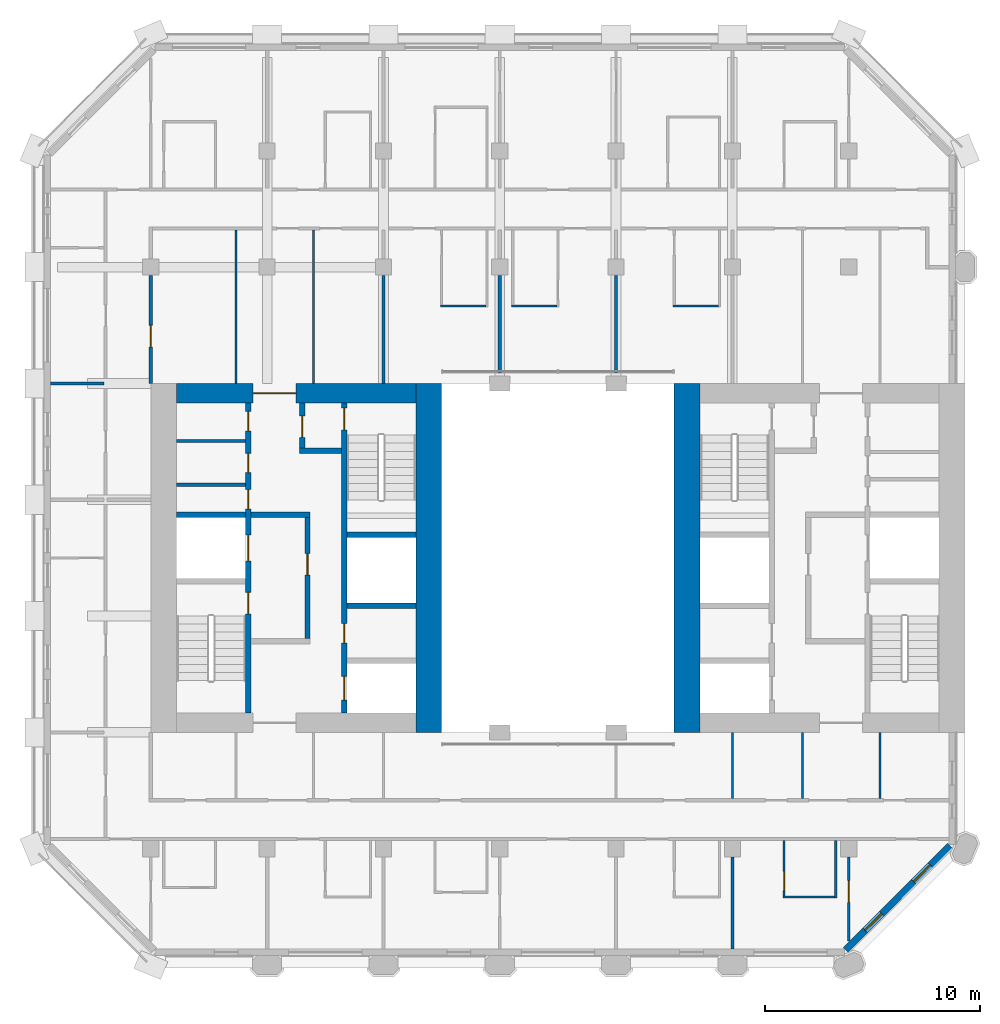
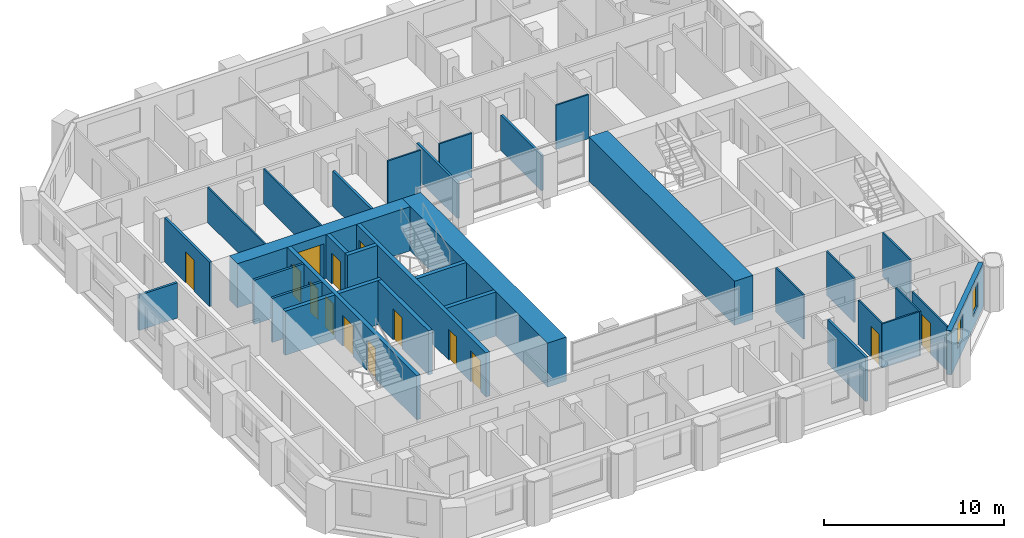
# One storey, part 8 of 14: 33 walls, 14 doors, 2 windows, 16 openings.
"""IFC4 building model written with IfcOpenShell, lengths in metres."""

import ifcopenshell
import ifcopenshell.guid

model = None  # the IFC model being written
_history = None  # IfcOwnerHistory: only IFC2X3 demands one
_inside = {}  # id of a spatial element -> (the spatial element, [elements in it])
_under = {}  # id of a project, library or spatial element -> (it, [spatial elements below it])
_declared = {}  # id of a project -> (the project, [libraries it declares])
_typed = {}  # id of a type object -> (the type object, [elements of that type])
_made_of = {}  # id of a material, layer set ... -> (it, [elements and type objects made of it])


def new_model(schema):
    """Start an empty IFC model of exactly this schema.

    Asked for "IFC4X3", IfcOpenShell would pick the latest addendum, in which some entities
    have other attributes; the version numbers below select the first issue.
    IFC2X3 requires an IfcOwnerHistory on every rooted entity: one is made here for all.
    """
    global model, _history
    if schema == "IFC4X3":
        model = ifcopenshell.file(schema_version=(4, 3, 0, 0))
    else:
        model = ifcopenshell.file(schema=schema)
    _inside.clear()
    _under.clear()
    _declared.clear()
    _typed.clear()
    _made_of.clear()
    _history = None
    if model.schema == "IFC2X3":
        org = make("IfcOrganization", Name="unknown")
        user = make(
            "IfcPersonAndOrganization",
            ThePerson=make("IfcPerson", FamilyName="unknown"),
            TheOrganization=org,
        )
        app = make(
            "IfcApplication",
            ApplicationDeveloper=org,
            Version="unknown",
            ApplicationFullName="unknown",
            ApplicationIdentifier="unknown",
        )
        _history = make(
            "IfcOwnerHistory",
            OwningUser=user,
            OwningApplication=app,
            ChangeAction="ADDED",
            CreationDate=0,
        )
    return model


def make(cls, **values):
    """One entity of the class cls with the attributes given. An attribute that is None is left unset."""
    return model.create_entity(
        cls, **{name: value for name, value in values.items() if value is not None}
    )


def rooted(cls, **values):
    """An entity with a GlobalId (a new one), such as an element, a storey or a relation."""
    return make(cls, GlobalId=ifcopenshell.guid.new(), OwnerHistory=_history, **values)


def si_unit(unit_type, name, prefix=None):
    """IfcSIUnit, for example si_unit("LENGTHUNIT", "METRE", prefix="MILLI")."""
    return make("IfcSIUnit", UnitType=unit_type, Prefix=prefix, Name=name)


def assignment(units):
    """IfcUnitAssignment: the units of a project."""
    return None if units is None else make("IfcUnitAssignment", Units=units)


def point(xyz):
    """IfcCartesianPoint."""
    return None if xyz is None else make("IfcCartesianPoint", Coordinates=xyz)


def direction(xyz):
    """IfcDirection."""
    return None if xyz is None else make("IfcDirection", DirectionRatios=xyz)


def frame(location, z_axis=None, x_axis=None):
    """IfcAxis2Placement3D, a coordinate frame: its origin and axes. An axis left out is left unset."""
    return make(
        "IfcAxis2Placement3D",
        Location=point(location),
        Axis=direction(z_axis),
        RefDirection=direction(x_axis),
    )


def frame_2d(location, x_axis=None):
    """IfcAxis2Placement2D, a coordinate frame in the plane: its origin and x axis."""
    return make(
        "IfcAxis2Placement2D", Location=point(location), RefDirection=direction(x_axis)
    )


def origin():
    """The frame at (0, 0, 0) with its axes left unset."""
    return frame((0.0, 0.0, 0.0))


def place(relative_to, where):
    """IfcLocalPlacement: puts the frame where relative to a parent placement (None: the world)."""
    return make(
        "IfcLocalPlacement", PlacementRelTo=relative_to, RelativePlacement=where
    )


def context(
    kind, dimensions, precision=None, world=None, true_north=None, identifier=None
):
    """IfcGeometricRepresentationContext, for example the 3D "Model" context."""
    return make(
        "IfcGeometricRepresentationContext",
        ContextIdentifier=identifier,
        ContextType=kind,
        CoordinateSpaceDimension=dimensions,
        Precision=precision,
        WorldCoordinateSystem=world,
        TrueNorth=true_north,
    )


def subcontext(parent, identifier, kind, view, scale=None):
    """IfcGeometricRepresentationSubContext, for example "Body" below "Model"."""
    return make(
        "IfcGeometricRepresentationSubContext",
        ContextIdentifier=identifier,
        ContextType=kind,
        ParentContext=parent,
        TargetScale=scale,
        TargetView=view,
    )


def project(units=None, contexts=None):
    """IfcProject with its units and contexts."""
    return rooted(
        "IfcProject",
        Name="project",
        RepresentationContexts=contexts,
        UnitsInContext=assignment(units),
    )


def spatial(cls, under=None, at=None, **own):
    """A site, building, storey or space (cls), placed at a placement, below another one or the project."""
    s = rooted(cls, ObjectPlacement=at, **own)
    if under is not None:
        _under.setdefault(under.id(), (under, []))[1].append(s)
    return s


def profile(cls, at=None, kind="AREA", **sizes):
    """A parametric profile (cls). Its sizes go by their IFC names, for example OverallWidth=200.0."""
    return make(cls, ProfileType=kind, Position=at, **sizes)


def rectangle(**sizes):
    """IfcRectangleProfileDef."""
    return profile("IfcRectangleProfileDef", **sizes)


def extrude(swept, where, along, depth):
    """IfcExtrudedAreaSolid: the profile swept, set in the frame where, extruded along a direction by depth."""
    return make(
        "IfcExtrudedAreaSolid",
        SweptArea=swept,
        Position=where,
        ExtrudedDirection=direction(along),
        Depth=depth,
    )


def shape(context_of_items, identifier, shape_type, items):
    """IfcShapeRepresentation: the items that make up one representation, for example the "Body"."""
    return make(
        "IfcShapeRepresentation",
        ContextOfItems=context_of_items,
        RepresentationIdentifier=identifier,
        RepresentationType=shape_type,
        Items=items,
    )


def material(Name=None, Category=None):
    """IfcMaterial."""
    return make("IfcMaterial", Name=Name, Category=Category)


def layer(
    of_material, thickness, ventilated=None, Name=None, Category=None, Priority=None
):
    """IfcMaterialLayer: one layer of a wall or slab, of a material (None: an air gap)."""
    return make(
        "IfcMaterialLayer",
        Material=of_material,
        LayerThickness=thickness,
        IsVentilated=ventilated,
        Name=Name,
        Category=Category,
        Priority=Priority,
    )


def layer_set(layers, Name=None):
    """IfcMaterialLayerSet."""
    return make("IfcMaterialLayerSet", MaterialLayers=layers, LayerSetName=Name)


def made_of(thing, what):
    """Note that an element or type object is made of a material, layer set ...; save() writes the relation."""
    if what is not None:
        _made_of.setdefault(what.id(), (what, []))[1].append(thing)
    return thing


def type_object(cls, material=None, **own):
    """A type object (cls), such as IfcWallType, which elements share."""
    return made_of(rooted(cls, **own), material)


def element(
    cls,
    number,
    at=None,
    inside=None,
    cuts=None,
    type_object=None,
    material=None,
    context=None,
    identifier="Body",
    shape_type=None,
    held_by="IfcProductDefinitionShape",
    body=None,
    shapes=None,
    **own,
):
    """One element of the class cls, such as IfcWall. Its Tag is "e" and its number.

    at: its placement. inside: the storey or other place that contains it. cuts: it is an
    opening in that element (IfcRelVoidsElement). A single representation is given by context,
    identifier, shape_type and body (its items); several are given by shapes. held_by: the class
    of the entity that holds the representations. save() writes the other relations.
    """
    e = rooted(cls, Tag="e%d" % number, ObjectPlacement=at, **own)
    if body is not None:
        shapes = [shape(context, identifier, shape_type, body)]
    if shapes is not None:
        e.Representation = make(held_by, Representations=shapes)
    if inside is not None:
        _inside.setdefault(inside.id(), (inside, []))[1].append(e)
    if cuts is not None:
        rooted(
            "IfcRelVoidsElement", RelatingBuildingElement=cuts, RelatedOpeningElement=e
        )
    if type_object is not None:
        _typed.setdefault(type_object.id(), (type_object, []))[1].append(e)
    return made_of(e, material)


def fill(opening, filler):
    """IfcRelFillsElement: the door or window that sits in an opening."""
    return rooted(
        "IfcRelFillsElement",
        RelatingOpeningElement=opening,
        RelatedBuildingElement=filler,
    )


def aggregate(whole, parts):
    """IfcRelAggregates: a whole, such as a stair, and the parts it consists of."""
    return rooted("IfcRelAggregates", RelatingObject=whole, RelatedObjects=parts)


def save(model, path):
    """Write the relations noted so far, then the file.

    IfcRelAggregates (storeys below a building ...), IfcRelContainedInSpatialStructure (elements
    in a storey), IfcRelDefinesByType, IfcRelAssociatesMaterial and IfcRelDeclares: one each for
    every whole, place, type object, material and project.
    """
    for whole, parts in _under.values():
        aggregate(whole, parts)
    for where, things in _inside.values():
        rooted(
            "IfcRelContainedInSpatialStructure",
            RelatedElements=things,
            RelatingStructure=where,
        )
    for kind, things in _typed.values():
        rooted("IfcRelDefinesByType", RelatedObjects=things, RelatingType=kind)
    for what, things in _made_of.values():
        rooted("IfcRelAssociatesMaterial", RelatedObjects=things, RelatingMaterial=what)
    for by, libraries in _declared.values():
        rooted("IfcRelDeclares", RelatingContext=by, RelatedDefinitions=libraries)
    model.write(path)


model = new_model("IFC4")

# Units and contexts
model_context = context("Model", 3, precision=1e-05, world=origin(), true_north=direction((0.0, 1.0)))
body_context = subcontext(model_context, "Body", "Model", "MODEL_VIEW")
ifc_project = project(units=[si_unit("LENGTHUNIT", "METRE"), si_unit("AREAUNIT", "SQUARE_METRE"), si_unit("VOLUMEUNIT", "CUBIC_METRE"), si_unit("PLANEANGLEUNIT", "RADIAN"), si_unit("MASSUNIT", "GRAM", prefix="KILO")], contexts=[model_context])

# Site, building, storey
site_placement = place(None, origin())
site = spatial("IfcSite", under=ifc_project, at=site_placement, CompositionType="ELEMENT")
building_placement = place(site_placement, origin())
building = spatial("IfcBuilding", under=site, at=building_placement, Name="Tabaq Tower and Sports Hall", CompositionType="ELEMENT")
storey_placement = place(building_placement, frame((0.0, 0.0, 217.0)))
storey = spatial("IfcBuildingStorey", under=building, at=storey_placement, Name="L54", CompositionType="ELEMENT", Elevation=217.0)

# Walls
ifc_material_1 = material(Name="Blockwork", Category="masonry")
ifc_layer_1 = layer(ifc_material_1, 0.14990234375)
ifc_layer_set_1 = layer_set([ifc_layer_1], Name="Core room partition 150 Blockwork")
wall_type_1 = type_object("IfcWallType", Name="Core room partition 150 Blockwork", PredefinedType="PARTITIONING", material=ifc_layer_set_1)
for number, where, z_axis, x_axis, name in (
    (1, (6.60009765625, 27.694091796875, 0.0), (0.0, 0.0, 1.0), (1.0, 0.0, 0.0), "Core room partition W L54"),
    (2, (6.60009765625, 29.72412109375, 0.0), (0.0, 0.0, 1.0), (1.0, 0.0, 0.0), "Core room partition W L54"),
):
    element("IfcWall", number, at=place(storey_placement, frame(where, z_axis=z_axis, x_axis=x_axis)), inside=storey, type_object=wall_type_1, Name=name, PredefinedType="PARTITIONING", context=body_context, shape_type="SweptSolid", body=[
        extrude(rectangle(XDim=3.199951171875, YDim=0.14990234375, at=frame_2d((1.60009765625, 0.0))), origin(), (0.0, 0.0, 1.0), 3.0),
    ])
ifc_material_2 = material(Name="Concrete C50/60", Category="concrete")
ifc_layer_2 = layer(ifc_material_2, 1.199951171875)
ifc_layer_set_2 = layer_set([ifc_layer_2], Name="Core wall 1200 Concrete C50/60")
wall_type_2 = type_object("IfcWallType", Name="Core wall 1200 Concrete C50/60", PredefinedType="SOLIDWALL", material=ifc_layer_set_2)
for number, where, z_axis, x_axis, name in (
    (3, (18.300048828125, 32.39990234375, 0.0), (0.0, 0.0, 1.0), (0.0, -1.0, 0.0), "Core wall W L54"),
    (4, (30.300048828125, 16.199951171875, 0.0), (0.0, 0.0, 1.0), (0.0, 1.0, 0.0), "Core wall E L54"),
):
    element("IfcWall", number, at=place(storey_placement, frame(where, z_axis=z_axis, x_axis=x_axis)), inside=storey, type_object=wall_type_2, Name=name, PredefinedType="SOLIDWALL", context=body_context, shape_type="SweptSolid", body=[
        extrude(rectangle(XDim=16.199951171875, YDim=1.199951171875, at=frame_2d((8.10009765625, 0.0))), origin(), (0.0, 0.0, 1.0), 3.0),
    ])

# Wall, opening, door
ifc_material_3 = material(Name="Concrete C50/60", Category="concrete")
ifc_layer_3 = layer(ifc_material_3, 0.89990234375)
ifc_layer_set_3 = layer_set([ifc_layer_3], Name="Core wall 900 Concrete C50/60")
wall_type_3 = type_object("IfcWallType", Name="Core wall 900 Concrete C50/60", PredefinedType="SOLIDWALL", material=ifc_layer_set_3)
wall_1_placement = place(storey_placement, frame((6.60009765625, 31.949951171875, 0.0), z_axis=(0.0, 0.0, 1.0), x_axis=(1.0, 0.0, 0.0)))
wall_1 = element("IfcWall", 5, at=wall_1_placement, inside=storey, type_object=wall_type_3, Name="Core wall W L54", PredefinedType="SOLIDWALL", context=body_context, shape_type="SweptSolid", body=[
    extrude(rectangle(XDim=11.099853515625, YDim=0.89990234375, at=frame_2d((5.5498046875, 0.0))), origin(), (0.0, 0.0, 1.0), 3.0),
])
opening_1_placement = place(wall_1_placement, frame((3.550048828125, 0.0, 0.0)))
opening_1 = element("IfcOpeningElement", 6, at=opening_1_placement, cuts=wall_1, Name="Opening PD-WL54-02", PredefinedType="OPENING", context=body_context, shape_type="SweptSolid", body=[
    extrude(rectangle(XDim=2.0, YDim=2.39990234375, at=frame_2d((1.0, 1.199951171875))), frame((0.0, 0.449951171875, 0.0), z_axis=(0.0, -1.0, 0.0), x_axis=(1.0, 0.0, 0.0)), (0.0, 0.0, 1.0), 0.89990234375),
])
ifc_material_4 = material(Name="Steel fire door", Category="steel")
door_type_1 = type_object("IfcDoorType", Name="Core entrance door 2000", OperationType="DOUBLE_DOOR_SINGLE_SWING", PredefinedType="DOOR", material=ifc_material_4)
door_1_placement = place(opening_1_placement, origin())
door_1 = element("IfcDoor", 7, at=door_1_placement, inside=storey, type_object=door_type_1, Name="Core entrance north W L54", OperationType="DOUBLE_DOOR_SINGLE_SWING", OverallHeight=2.39990234375, OverallWidth=2.0, PredefinedType="DOOR", context=body_context, shape_type="SweptSolid", body=[
    extrude(rectangle(XDim=2.0, YDim=2.39990234375, at=frame_2d((1.0, 1.199951171875))), frame((0.0, 0.02490234375, 0.0), z_axis=(0.0, -1.0, 0.0), x_axis=(1.0, 0.0, 0.0)), (0.0, 0.0, 1.0), 0.050048828125),
])
fill(opening_1, door_1)

# Walls
ifc_material_5 = material(Name="Gypsum board on steel studs", Category="steel")
ifc_layer_4 = layer(ifc_material_5, 0.10009765625)
ifc_layer_set_4 = layer_set([ifc_layer_4], Name="Partition 100 Gypsum board")
wall_type_4 = type_object("IfcWallType", Name="Partition 100 Gypsum board", PredefinedType="PARTITIONING", material=ifc_layer_set_4)
for number, where, z_axis, x_axis, name in (
    (8, (31.75, 36.0, 0.0), (0.0, 0.0, 1.0), (-1.0, 0.0, 0.0), "Partition wall L54"),
    (9, (24.25, 36.0, 0.0), (0.0, 0.0, 1.0), (-1.0, 0.0, 0.0), "Partition wall L54"),
):
    element("IfcWall", number, at=place(storey_placement, frame(where, z_axis=z_axis, x_axis=x_axis)), inside=storey, type_object=wall_type_4, Name=name, PredefinedType="PARTITIONING", context=body_context, shape_type="SweptSolid", body=[
        extrude(rectangle(XDim=2.10009765625, YDim=0.10009765625, at=frame_2d((1.050048828125, 0.0))), origin(), (0.0, 0.0, 1.0), 3.0),
    ])
wall_2_placement = place(storey_placement, frame((20.949951171875, 36.0, 0.0), z_axis=(0.0, 0.0, 1.0), x_axis=(-1.0, 0.0, 0.0)))
element("IfcWall", 10, at=wall_2_placement, inside=storey, type_object=wall_type_4, Name="Partition wall L54", PredefinedType="PARTITIONING", context=body_context, shape_type="SweptSolid", body=[
    extrude(rectangle(XDim=2.099853515625, YDim=0.10009765625, at=frame_2d((1.0498046875, 0.0))), origin(), (0.0, 0.0, 1.0), 3.0),
])
for number, where, z_axis, x_axis, name in (
    (11, (12.949951171875, 32.39990234375, 0.0), (0.0, 0.0, 1.0), (0.0, 1.0, 0.0), "Partition wall L54"),
    (12, (9.35009765625, 39.52490234375, 0.0), (0.0, 0.0, 1.0), (0.0, -1.0, 0.0), "Partition wall L54"),
):
    element("IfcWall", number, at=place(storey_placement, frame(where, z_axis=z_axis, x_axis=x_axis)), inside=storey, type_object=wall_type_4, Name=name, PredefinedType="PARTITIONING", context=body_context, shape_type="SweptSolid", body=[
        extrude(rectangle(XDim=7.125, YDim=0.10009765625, at=frame_2d((3.5625, 0.0))), origin(), (0.0, 0.0, 1.0), 2.39990234375),
    ])

# Wall, opening, door
wall_3_placement = place(storey_placement, frame((37.800048828125, 6.51220703125, 0.0), z_axis=(0.0, 0.0, 1.0), x_axis=(0.0, 1.0, 0.0)))
wall_3 = element("IfcWall", 13, at=wall_3_placement, inside=storey, type_object=wall_type_4, Name="Partition wall L54", PredefinedType="PARTITIONING", context=body_context, shape_type="SweptSolid", body=[
    extrude(rectangle(XDim=3.892822265625, YDim=0.10009765625, at=frame_2d((1.9462890625, 0.0))), origin(), (0.0, 0.0, 1.0), 3.0),
])
opening_2_placement = place(wall_3_placement, frame((1.80029296875, 0.0, 0.0)))
opening_2 = element("IfcOpeningElement", 14, at=opening_2_placement, cuts=wall_3, Name="Opening L54-041", PredefinedType="OPENING", context=body_context, shape_type="SweptSolid", body=[
    extrude(rectangle(XDim=1.0, YDim=2.10009765625, at=frame_2d((0.5, 1.050048828125))), frame((0.0, 0.050048828125, 0.0), z_axis=(0.0, -1.0, 0.0), x_axis=(1.0, 0.0, 0.0)), (0.0, 0.0, 1.0), 0.10009765625),
])
ifc_material_6 = material(Name="Timber leaf in steel frame", Category="steel")
door_type_2 = type_object("IfcDoorType", Name="Internal door 1000 right hand", OperationType="SINGLE_SWING_RIGHT", PredefinedType="DOOR", material=ifc_material_6)
door_2_placement = place(opening_2_placement, origin())
door_2 = element("IfcDoor", 15, at=door_2_placement, inside=storey, type_object=door_type_2, Name="Internal door L54-041", OperationType="SINGLE_SWING_RIGHT", OverallHeight=2.10009765625, OverallWidth=1.0, PredefinedType="DOOR", context=body_context, shape_type="SweptSolid", body=[
    extrude(rectangle(XDim=1.0, YDim=2.10009765625, at=frame_2d((0.5, 1.050048828125))), frame((0.0, 0.02490234375, 0.0), z_axis=(0.0, -1.0, 0.0), x_axis=(1.0, 0.0, 0.0)), (0.0, 0.0, 1.0), 0.050048828125),
])
fill(opening_2, door_2)

# Walls
wall_4_placement = place(storey_placement, frame((37.199951171875, 11.175048828125, 0.0), z_axis=(0.0, 0.0, 1.0), x_axis=(0.0, -1.0, 0.0)))
element("IfcWall", 16, at=wall_4_placement, inside=storey, type_object=wall_type_4, Name="Partition wall L54", PredefinedType="PARTITIONING", context=body_context, shape_type="SweptSolid", body=[
    extrude(rectangle(XDim=2.675048828125, YDim=0.10009765625, at=frame_2d((1.33740234375, 0.0))), origin(), (0.0, 0.0, 1.0), 3.0),
])
wall_5_placement = place(storey_placement, frame((37.14990234375, 8.550048828125, 0.0), z_axis=(0.0, 0.0, 1.0), x_axis=(-1.0, 0.0, 0.0)))
element("IfcWall", 17, at=wall_5_placement, inside=storey, type_object=wall_type_4, Name="Partition wall L54", PredefinedType="PARTITIONING", context=body_context, shape_type="SweptSolid", body=[
    extrude(rectangle(XDim=2.39990234375, YDim=0.10009765625, at=frame_2d((1.199951171875, 0.0))), origin(), (0.0, 0.0, 1.0), 3.0),
])

# Wall, opening, door
wall_6_placement = place(storey_placement, frame((34.800048828125, 8.60009765625, 0.0), z_axis=(0.0, 0.0, 1.0), x_axis=(0.0, 1.0, 0.0)))
wall_6 = element("IfcWall", 18, at=wall_6_placement, inside=storey, type_object=wall_type_4, Name="Partition wall L54", PredefinedType="PARTITIONING", context=body_context, shape_type="SweptSolid", body=[
    extrude(rectangle(XDim=2.574951171875, YDim=0.10009765625, at=frame_2d((1.28759765625, 0.0))), origin(), (0.0, 0.0, 1.0), 3.0),
])
opening_3_placement = place(wall_6_placement, frame((0.25, 0.0, 0.0)))
opening_3 = element("IfcOpeningElement", 19, at=opening_3_placement, cuts=wall_6, Name="Opening L54-016", PredefinedType="OPENING", context=body_context, shape_type="SweptSolid", body=[
    extrude(rectangle(XDim=0.89990234375, YDim=2.10009765625, at=frame_2d((0.449951171875, 1.050048828125))), frame((0.0, 0.050048828125, 0.0), z_axis=(0.0, -1.0, 0.0), x_axis=(1.0, 0.0, 0.0)), (0.0, 0.0, 1.0), 0.10009765625),
])
ifc_material_7 = material(Name="Timber leaf in steel frame", Category="steel")
door_type_3 = type_object("IfcDoorType", Name="Internal door 900 right hand", OperationType="SINGLE_SWING_RIGHT", PredefinedType="DOOR", material=ifc_material_7)
door_3_placement = place(opening_3_placement, origin())
door_3 = element("IfcDoor", 20, at=door_3_placement, inside=storey, type_object=door_type_3, Name="Internal door L54-016", OperationType="SINGLE_SWING_RIGHT", OverallHeight=2.10009765625, OverallWidth=0.89990234375, PredefinedType="DOOR", context=body_context, shape_type="SweptSolid", body=[
    extrude(rectangle(XDim=0.89990234375, YDim=2.10009765625, at=frame_2d((0.449951171875, 1.050048828125))), frame((0.0, 0.02490234375, 0.0), z_axis=(0.0, -1.0, 0.0), x_axis=(1.0, 0.0, 0.0)), (0.0, 0.0, 1.0), 0.050048828125),
])
fill(opening_3, door_3)

# Walls
for number, where, z_axis, x_axis, name in (
    (21, (32.39990234375, 13.125, 0.0), (0.0, 0.0, 1.0), (0.0, 1.0, 0.0), "Partition wall L54"),
    (22, (39.25, 13.125, 0.0), (0.0, 0.0, 1.0), (0.0, 1.0, 0.0), "Partition wall L54"),
    (23, (35.64990234375, 16.199951171875, 0.0), (0.0, 0.0, 1.0), (0.0, -1.0, 0.0), "Partition wall L54"),
):
    element("IfcWall", number, at=place(storey_placement, frame(where, z_axis=z_axis, x_axis=x_axis)), inside=storey, type_object=wall_type_4, Name=name, PredefinedType="PARTITIONING", context=body_context, shape_type="SweptSolid", body=[
        extrude(rectangle(XDim=3.074951171875, YDim=0.10009765625, at=frame_2d((1.53759765625, 0.0))), origin(), (0.0, 0.0, 1.0), 3.0),
    ])
ifc_material_8 = material(Name="Blockwork", Category="masonry")
ifc_layer_5 = layer(ifc_material_8, 0.14990234375)
ifc_layer_set_5 = layer_set([ifc_layer_5], Name="Separating wall 150 Blockwork")
wall_type_5 = type_object("IfcWallType", Name="Separating wall 150 Blockwork", PredefinedType="PARTITIONING", material=ifc_layer_set_5)
for number, where, z_axis, x_axis, name in (
    (24, (27.0, 37.405029296875, 0.0), (0.0, 0.0, 1.0), (0.0, -1.0, 0.0), "Separating wall L54"),
    (25, (21.60009765625, 37.405029296875, 0.0), (0.0, 0.0, 1.0), (0.0, -1.0, 0.0), "Separating wall L54"),
):
    element("IfcWall", number, at=place(storey_placement, frame(where, z_axis=z_axis, x_axis=x_axis)), inside=storey, type_object=wall_type_5, Name=name, PredefinedType="PARTITIONING", context=body_context, shape_type="SweptSolid", body=[
        extrude(rectangle(XDim=4.510009765625, YDim=0.14990234375, at=frame_2d((2.2548828125, 0.0))), origin(), (0.0, 0.0, 1.0), 2.39990234375),
    ])
wall_7_placement = place(storey_placement, frame((16.199951171875, 37.405029296875, 0.0), z_axis=(0.0, 0.0, 1.0), x_axis=(0.0, -1.0, 0.0)))
element("IfcWall", 26, at=wall_7_placement, inside=storey, type_object=wall_type_5, Name="Separating wall L54", PredefinedType="PARTITIONING", context=body_context, shape_type="SweptSolid", body=[
    extrude(rectangle(XDim=5.005126953125, YDim=0.14990234375, at=frame_2d((2.50244140625, 0.0))), origin(), (0.0, 0.0, 1.0), 2.39990234375),
])
wall_8_placement = place(storey_placement, frame((0.7509765625, 32.39990234375, 0.0), z_axis=(0.0, 0.0, 1.0), x_axis=(1.0, 0.0, 0.0)))
element("IfcWall", 27, at=wall_8_placement, inside=storey, type_object=wall_type_5, Name="Separating wall L54", PredefinedType="PARTITIONING", context=body_context, shape_type="SweptSolid", body=[
    extrude(rectangle(XDim=2.47412109375, YDim=0.14990234375, at=frame_2d((1.237060546875, 0.0))), origin(), (0.0, 0.0, 1.0), 2.39990234375),
])

# Wall, opening, door
wall_9_placement = place(storey_placement, frame((5.39990234375, 32.39990234375, 0.0), z_axis=(0.0, 0.0, 1.0), x_axis=(0.0, 1.0, 0.0)))
wall_9 = element("IfcWall", 28, at=wall_9_placement, inside=storey, type_object=wall_type_5, Name="Separating wall L54", PredefinedType="PARTITIONING", context=body_context, shape_type="SweptSolid", body=[
    extrude(rectangle(XDim=5.005126953125, YDim=0.14990234375, at=frame_2d((2.50244140625, 0.0))), origin(), (0.0, 0.0, 1.0), 3.0),
])
opening_4_placement = place(wall_9_placement, frame((1.699951171875, 0.0, 0.0)))
opening_4 = element("IfcOpeningElement", 29, at=opening_4_placement, cuts=wall_9, Name="Opening L54-013", PredefinedType="OPENING", context=body_context, shape_type="SweptSolid", body=[
    extrude(rectangle(XDim=1.0, YDim=2.10009765625, at=frame_2d((0.5, 1.050048828125))), frame((0.0, 0.074951171875, 0.0), z_axis=(0.0, -1.0, 0.0), x_axis=(1.0, 0.0, 0.0)), (0.0, 0.0, 1.0), 0.14990234375),
])
door_4_placement = place(opening_4_placement, origin())
door_4 = element("IfcDoor", 30, at=door_4_placement, inside=storey, type_object=door_type_2, Name="Internal door L54-013", OperationType="SINGLE_SWING_RIGHT", OverallHeight=2.10009765625, OverallWidth=1.0, PredefinedType="DOOR", context=body_context, shape_type="SweptSolid", body=[
    extrude(rectangle(XDim=1.0, YDim=2.10009765625, at=frame_2d((0.5, 1.050048828125))), frame((0.0, 0.02490234375, 0.0), z_axis=(0.0, -1.0, 0.0), x_axis=(1.0, 0.0, 0.0)), (0.0, 0.0, 1.0), 0.050048828125),
])
fill(opening_4, door_4)

# Wall
wall_10_placement = place(storey_placement, frame((32.39990234375, 10.405029296875, 0.0), z_axis=(0.0, 0.0, 1.0), x_axis=(0.0, -1.0, 0.0)))
element("IfcWall", 31, at=wall_10_placement, inside=storey, type_object=wall_type_5, Name="Separating wall L54", PredefinedType="PARTITIONING", context=body_context, shape_type="SweptSolid", body=[
    extrude(rectangle(XDim=4.254150390625, YDim=0.14990234375, at=frame_2d((2.126953125, 0.0))), origin(), (0.0, 0.0, 1.0), 3.0),
])

# Wall, openings, doors
ifc_material_9 = material(Name="Concrete C40/50", Category="concrete")
ifc_layer_6 = layer(ifc_material_9, 0.25)
ifc_layer_set_6 = layer_set([ifc_layer_6], Name="Shaft and stair wall 250 Concrete C40/50")
wall_type_6 = type_object("IfcWallType", Name="Shaft and stair wall 250 Concrete C40/50", PredefinedType="SOLIDWALL", material=ifc_layer_set_6)
wall_11_placement = place(storey_placement, frame((9.925048828125, 17.10009765625, 0.0), z_axis=(0.0, 0.0, 1.0), x_axis=(0.0, 1.0, 0.0)))
wall_11 = element("IfcWall", 32, at=wall_11_placement, inside=storey, type_object=wall_type_6, Name="Shaft wall W L54", PredefinedType="SOLIDWALL", context=body_context, shape_type="SweptSolid", body=[
    extrude(rectangle(XDim=14.39990234375, YDim=0.25, at=frame_2d((7.199951171875, 0.0))), origin(), (0.0, 0.0, 1.0), 3.0),
])
opening_5_placement = place(wall_11_placement, frame((4.60009765625, 0.0, 0.0)))
opening_5 = element("IfcOpeningElement", 33, at=opening_5_placement, cuts=wall_11, Name="Opening SD-WL54-03", PredefinedType="OPENING", context=body_context, shape_type="SweptSolid", body=[
    extrude(rectangle(XDim=1.0, YDim=2.10009765625, at=frame_2d((0.5, 1.050048828125))), frame((0.0, 0.125, 0.0), z_axis=(0.0, -1.0, 0.0), x_axis=(1.0, 0.0, 0.0)), (0.0, 0.0, 1.0), 0.25),
])
opening_6_placement = place(wall_11_placement, frame((7.0625, 0.0, 0.0)))
opening_6 = element("IfcOpeningElement", 34, at=opening_6_placement, cuts=wall_11, Name="Opening LD-FF1-L54", PredefinedType="OPENING", context=body_context, shape_type="SweptSolid", body=[
    extrude(rectangle(XDim=1.199951171875, YDim=2.10009765625, at=frame_2d((0.60009765625, 1.050048828125))), frame((0.0, 0.125, 0.0), z_axis=(0.0, -1.0, 0.0), x_axis=(1.0, 0.0, 0.0)), (0.0, 0.0, 1.0), 0.25),
])
opening_7_placement = place(wall_11_placement, frame((9.471923828125, 0.0, 0.0)))
opening_7 = element("IfcOpeningElement", 35, at=opening_7_placement, cuts=wall_11, Name="Opening RD-WL54-09", PredefinedType="OPENING", context=body_context, shape_type="SweptSolid", body=[
    extrude(rectangle(XDim=0.89990234375, YDim=2.10009765625, at=frame_2d((0.449951171875, 1.050048828125))), frame((0.0, 0.125, 0.0), z_axis=(0.0, -1.0, 0.0), x_axis=(1.0, 0.0, 0.0)), (0.0, 0.0, 1.0), 0.25),
])
opening_8_placement = place(wall_11_placement, frame((11.158935546875, 0.0, 0.0)))
opening_8 = element("IfcOpeningElement", 36, at=opening_8_placement, cuts=wall_11, Name="Opening RD-WL54-10", PredefinedType="OPENING", context=body_context, shape_type="SweptSolid", body=[
    extrude(rectangle(XDim=0.89990234375, YDim=2.10009765625, at=frame_2d((0.449951171875, 1.050048828125))), frame((0.0, 0.125, 0.0), z_axis=(0.0, -1.0, 0.0), x_axis=(1.0, 0.0, 0.0)), (0.0, 0.0, 1.0), 0.25),
])
opening_9_placement = place(wall_11_placement, frame((13.099609375, 0.0, 0.0)))
opening_9 = element("IfcOpeningElement", 37, at=opening_9_placement, cuts=wall_11, Name="Opening RD-WL54-11", PredefinedType="OPENING", context=body_context, shape_type="SweptSolid", body=[
    extrude(rectangle(XDim=0.89990234375, YDim=2.10009765625, at=frame_2d((0.449951171875, 1.050048828125))), frame((0.0, 0.125, 0.0), z_axis=(0.0, -1.0, 0.0), x_axis=(1.0, 0.0, 0.0)), (0.0, 0.0, 1.0), 0.25),
])
ifc_material_10 = material(Name="Steel fire door", Category="steel")
door_type_4 = type_object("IfcDoorType", Name="Core room door 900", OperationType="SINGLE_SWING_LEFT", PredefinedType="DOOR", material=ifc_material_10)
door_5_placement = place(opening_7_placement, origin())
door_5 = element("IfcDoor", 38, at=door_5_placement, inside=storey, type_object=door_type_4, Name="Door Electrical Riser Room W L54", OperationType="SINGLE_SWING_LEFT", OverallHeight=2.10009765625, OverallWidth=0.89990234375, PredefinedType="DOOR", context=body_context, shape_type="SweptSolid", body=[
    extrude(rectangle(XDim=0.89990234375, YDim=2.10009765625, at=frame_2d((0.449951171875, 1.050048828125))), frame((0.0, 0.02490234375, 0.0), z_axis=(0.0, -1.0, 0.0), x_axis=(1.0, 0.0, 0.0)), (0.0, 0.0, 1.0), 0.050048828125),
])
fill(opening_7, door_5)
door_6_placement = place(opening_8_placement, origin())
door_6 = element("IfcDoor", 39, at=door_6_placement, inside=storey, type_object=door_type_4, Name="Door Unisex WC W L54", OperationType="SINGLE_SWING_LEFT", OverallHeight=2.10009765625, OverallWidth=0.89990234375, PredefinedType="DOOR", context=body_context, shape_type="SweptSolid", body=[
    extrude(rectangle(XDim=0.89990234375, YDim=2.10009765625, at=frame_2d((0.449951171875, 1.050048828125))), frame((0.0, 0.02490234375, 0.0), z_axis=(0.0, -1.0, 0.0), x_axis=(1.0, 0.0, 0.0)), (0.0, 0.0, 1.0), 0.050048828125),
])
fill(opening_8, door_6)
door_7_placement = place(opening_9_placement, origin())
door_7 = element("IfcDoor", 40, at=door_7_placement, inside=storey, type_object=door_type_4, Name="Door Accessible WC W L54", OperationType="SINGLE_SWING_LEFT", OverallHeight=2.10009765625, OverallWidth=0.89990234375, PredefinedType="DOOR", context=body_context, shape_type="SweptSolid", body=[
    extrude(rectangle(XDim=0.89990234375, YDim=2.10009765625, at=frame_2d((0.449951171875, 1.050048828125))), frame((0.0, 0.02490234375, 0.0), z_axis=(0.0, -1.0, 0.0), x_axis=(1.0, 0.0, 0.0)), (0.0, 0.0, 1.0), 0.050048828125),
])
fill(opening_9, door_7)
ifc_material_11 = material(Name="Stainless steel", Category="steel")
door_type_5 = type_object("IfcDoorType", Name="Lift landing door 1200", OperationType="DOUBLE_DOOR_SLIDING", PredefinedType="DOOR", material=ifc_material_11)
door_8_placement = place(opening_6_placement, origin())
door_8 = element("IfcDoor", 41, at=door_8_placement, inside=storey, type_object=door_type_5, Name="Lift landing door FF1 W L54", OperationType="DOUBLE_DOOR_SLIDING", OverallHeight=2.10009765625, OverallWidth=1.199951171875, PredefinedType="DOOR", context=body_context, shape_type="SweptSolid", body=[
    extrude(rectangle(XDim=1.199951171875, YDim=2.10009765625, at=frame_2d((0.60009765625, 1.050048828125))), frame((0.0, 0.02490234375, 0.0), z_axis=(0.0, -1.0, 0.0), x_axis=(1.0, 0.0, 0.0)), (0.0, 0.0, 1.0), 0.050048828125),
])
fill(opening_6, door_8)
ifc_material_12 = material(Name="Steel fire door", Category="steel")
door_type_6 = type_object("IfcDoorType", Name="Stair door 1000", OperationType="SINGLE_SWING_LEFT", PredefinedType="DOOR", material=ifc_material_12)
door_9_placement = place(opening_5_placement, origin())
door_9 = element("IfcDoor", 42, at=door_9_placement, inside=storey, type_object=door_type_6, Name="Stair door ST1 W L54", OperationType="SINGLE_SWING_LEFT", OverallHeight=2.10009765625, OverallWidth=1.0, PredefinedType="DOOR", context=body_context, shape_type="SweptSolid", body=[
    extrude(rectangle(XDim=1.0, YDim=2.10009765625, at=frame_2d((0.5, 1.050048828125))), frame((0.0, 0.02490234375, 0.0), z_axis=(0.0, -1.0, 0.0), x_axis=(1.0, 0.0, 0.0)), (0.0, 0.0, 1.0), 0.050048828125),
])
fill(opening_5, door_9)

wall_12_placement = place(storey_placement, frame((14.375, 17.10009765625, 0.0), z_axis=(0.0, 0.0, 1.0), x_axis=(0.0, 1.0, 0.0)))
wall_12 = element("IfcWall", 43, at=wall_12_placement, inside=storey, type_object=wall_type_6, Name="Shaft wall W L54", PredefinedType="SOLIDWALL", context=body_context, shape_type="SweptSolid", body=[
    extrude(rectangle(XDim=14.39990234375, YDim=0.25, at=frame_2d((7.199951171875, 0.0))), origin(), (0.0, 0.0, 1.0), 3.0),
])
opening_10_placement = place(wall_12_placement, frame((13.14990234375, 0.0, 0.0)))
opening_10 = element("IfcOpeningElement", 44, at=opening_10_placement, cuts=wall_12, Name="Opening SD-WL54-05", PredefinedType="OPENING", context=body_context, shape_type="SweptSolid", body=[
    extrude(rectangle(XDim=1.0, YDim=2.10009765625, at=frame_2d((0.5, 1.050048828125))), frame((0.0, 0.125, 0.0), z_axis=(0.0, -1.0, 0.0), x_axis=(1.0, 0.0, 0.0)), (0.0, 0.0, 1.0), 0.25),
])
opening_11_placement = place(wall_12_placement, frame((0.60009765625, 0.0, 0.0)))
opening_11 = element("IfcOpeningElement", 45, at=opening_11_placement, cuts=wall_12, Name="Opening LD-MR1-L54", PredefinedType="OPENING", context=body_context, shape_type="SweptSolid", body=[
    extrude(rectangle(XDim=1.10009765625, YDim=2.10009765625, at=frame_2d((0.550048828125, 1.050048828125))), frame((0.0, 0.125, 0.0), z_axis=(0.0, -1.0, 0.0), x_axis=(1.0, 0.0, 0.0)), (0.0, 0.0, 1.0), 0.25),
])
opening_12_placement = place(wall_12_placement, frame((3.25, 0.0, 0.0)))
opening_12 = element("IfcOpeningElement", 46, at=opening_12_placement, cuts=wall_12, Name="Opening RD-WL54-12", PredefinedType="OPENING", context=body_context, shape_type="SweptSolid", body=[
    extrude(rectangle(XDim=0.89990234375, YDim=2.10009765625, at=frame_2d((0.449951171875, 1.050048828125))), frame((0.0, 0.125, 0.0), z_axis=(0.0, -1.0, 0.0), x_axis=(1.0, 0.0, 0.0)), (0.0, 0.0, 1.0), 0.25),
])
door_10_placement = place(opening_12_placement, origin())
door_10 = element("IfcDoor", 47, at=door_10_placement, inside=storey, type_object=door_type_4, Name="Door Cleaner's Store W L54", OperationType="SINGLE_SWING_LEFT", OverallHeight=2.10009765625, OverallWidth=0.89990234375, PredefinedType="DOOR", context=body_context, shape_type="SweptSolid", body=[
    extrude(rectangle(XDim=0.89990234375, YDim=2.10009765625, at=frame_2d((0.449951171875, 1.050048828125))), frame((0.0, 0.02490234375, 0.0), z_axis=(0.0, -1.0, 0.0), x_axis=(1.0, 0.0, 0.0)), (0.0, 0.0, 1.0), 0.050048828125),
])
fill(opening_12, door_10)
ifc_material_13 = material(Name="Stainless steel", Category="steel")
door_type_7 = type_object("IfcDoorType", Name="Lift landing door 1100", OperationType="DOUBLE_DOOR_SLIDING", PredefinedType="DOOR", material=ifc_material_13)
door_11_placement = place(opening_11_placement, origin())
door_11 = element("IfcDoor", 48, at=door_11_placement, inside=storey, type_object=door_type_7, Name="Lift landing door MR1 W L54", OperationType="DOUBLE_DOOR_SLIDING", OverallHeight=2.10009765625, OverallWidth=1.10009765625, PredefinedType="DOOR", context=body_context, shape_type="SweptSolid", body=[
    extrude(rectangle(XDim=1.10009765625, YDim=2.10009765625, at=frame_2d((0.550048828125, 1.050048828125))), frame((0.0, 0.02490234375, 0.0), z_axis=(0.0, -1.0, 0.0), x_axis=(1.0, 0.0, 0.0)), (0.0, 0.0, 1.0), 0.050048828125),
])
fill(opening_11, door_11)
door_12_placement = place(opening_10_placement, origin())
door_12 = element("IfcDoor", 49, at=door_12_placement, inside=storey, type_object=door_type_6, Name="Stair door ST2 W L54", OperationType="SINGLE_SWING_LEFT", OverallHeight=2.10009765625, OverallWidth=1.0, PredefinedType="DOOR", context=body_context, shape_type="SweptSolid", body=[
    extrude(rectangle(XDim=1.0, YDim=2.10009765625, at=frame_2d((0.5, 1.050048828125))), frame((0.0, 0.02490234375, 0.0), z_axis=(0.0, -1.0, 0.0), x_axis=(1.0, 0.0, 0.0)), (0.0, 0.0, 1.0), 0.050048828125),
])
fill(opening_10, door_12)

# Walls
for number, where, z_axis, x_axis, name in (
    (50, (14.5, 25.375, 0.0), (0.0, 0.0, 1.0), (1.0, 0.0, 0.0), "Stair enclosure wall W L54"),
    (51, (14.5, 22.074951171875, 0.0), (0.0, 0.0, 1.0), (1.0, 0.0, 0.0), "Shaft wall W L54"),
    (52, (6.60009765625, 26.300048828125, 0.0), (0.0, 0.0, 1.0), (1.0, 0.0, 0.0), "Shaft wall W L54"),
):
    element("IfcWall", number, at=place(storey_placement, frame(where, z_axis=z_axis, x_axis=x_axis)), inside=storey, type_object=wall_type_6, Name=name, PredefinedType="SOLIDWALL", context=body_context, shape_type="SweptSolid", body=[
        extrude(rectangle(XDim=3.199951171875, YDim=0.25, at=frame_2d((1.60009765625, 0.0))), origin(), (0.0, 0.0, 1.0), 3.0),
    ])
wall_13_placement = place(storey_placement, frame((10.050048828125, 26.300048828125, 0.0), z_axis=(0.0, 0.0, 1.0), x_axis=(1.0, 0.0, 0.0)))
element("IfcWall", 53, at=wall_13_placement, inside=storey, type_object=wall_type_6, Name="Fire-fighting lobby wall W L54", PredefinedType="SOLIDWALL", context=body_context, shape_type="SweptSolid", body=[
    extrude(rectangle(XDim=2.75, YDim=0.25, at=frame_2d((1.375, 0.0))), origin(), (0.0, 0.0, 1.0), 3.0),
])

# Wall, opening, door
wall_14_placement = place(storey_placement, frame((12.425048828125, 29.39990234375, 0.0), z_axis=(0.0, 0.0, 1.0), x_axis=(0.0, 1.0, 0.0)))
wall_14 = element("IfcWall", 54, at=wall_14_placement, inside=storey, type_object=wall_type_6, Name="Fire-fighting lobby wall W L54", PredefinedType="SOLIDWALL", context=body_context, shape_type="SweptSolid", body=[
    extrude(rectangle(XDim=2.10009765625, YDim=0.25, at=frame_2d((1.050048828125, 0.0))), origin(), (0.0, 0.0, 1.0), 3.0),
])
opening_13_placement = place(wall_14_placement, frame((0.5, 0.0, 0.0)))
opening_13 = element("IfcOpeningElement", 55, at=opening_13_placement, cuts=wall_14, Name="Opening FD-WL54-06", PredefinedType="OPENING", context=body_context, shape_type="SweptSolid", body=[
    extrude(rectangle(XDim=1.0, YDim=2.10009765625, at=frame_2d((0.5, 1.050048828125))), frame((0.0, 0.125, 0.0), z_axis=(0.0, -1.0, 0.0), x_axis=(1.0, 0.0, 0.0)), (0.0, 0.0, 1.0), 0.25),
])
ifc_material_14 = material(Name="Steel fire door", Category="steel")
door_type_8 = type_object("IfcDoorType", Name="Fire-fighting lobby door 1000", OperationType="SINGLE_SWING_LEFT", PredefinedType="DOOR", material=ifc_material_14)
door_13_placement = place(opening_13_placement, origin())
door_13 = element("IfcDoor", 56, at=door_13_placement, inside=storey, type_object=door_type_8, Name="Stair lobby door W L54", OperationType="SINGLE_SWING_LEFT", OverallHeight=2.10009765625, OverallWidth=1.0, PredefinedType="DOOR", context=body_context, shape_type="SweptSolid", body=[
    extrude(rectangle(XDim=1.0, YDim=2.10009765625, at=frame_2d((0.5, 1.050048828125))), frame((0.0, 0.02490234375, 0.0), z_axis=(0.0, -1.0, 0.0), x_axis=(1.0, 0.0, 0.0)), (0.0, 0.0, 1.0), 0.050048828125),
])
fill(opening_13, door_13)

# Wall
wall_15_placement = place(storey_placement, frame((12.300048828125, 29.27490234375, 0.0), z_axis=(0.0, 0.0, 1.0), x_axis=(1.0, 0.0, 0.0)))
element("IfcWall", 57, at=wall_15_placement, inside=storey, type_object=wall_type_6, Name="Fire-fighting lobby wall W L54", PredefinedType="SOLIDWALL", context=body_context, shape_type="SweptSolid", body=[
    extrude(rectangle(XDim=1.949951171875, YDim=0.25, at=frame_2d((0.97509765625, 0.0))), origin(), (0.0, 0.0, 1.0), 3.0),
])

# Wall, opening, door
wall_16_placement = place(storey_placement, frame((12.675048828125, 20.550048828125, 0.0), z_axis=(0.0, 0.0, 1.0), x_axis=(0.0, 1.0, 0.0)))
wall_16 = element("IfcWall", 58, at=wall_16_placement, inside=storey, type_object=wall_type_6, Name="Fire-fighting lobby wall W L54", PredefinedType="SOLIDWALL", context=body_context, shape_type="SweptSolid", body=[
    extrude(rectangle(XDim=5.625, YDim=0.25, at=frame_2d((2.8125, 0.0))), origin(), (0.0, 0.0, 1.0), 3.0),
])
opening_14_placement = place(wall_16_placement, frame((2.949951171875, 0.0, 0.0)))
opening_14 = element("IfcOpeningElement", 59, at=opening_14_placement, cuts=wall_16, Name="Opening FD-WL54-04", PredefinedType="OPENING", context=body_context, shape_type="SweptSolid", body=[
    extrude(rectangle(XDim=1.0, YDim=2.10009765625, at=frame_2d((0.5, 1.050048828125))), frame((0.0, 0.125, 0.0), z_axis=(0.0, -1.0, 0.0), x_axis=(1.0, 0.0, 0.0)), (0.0, 0.0, 1.0), 0.25),
])
door_14_placement = place(opening_14_placement, origin())
door_14 = element("IfcDoor", 60, at=door_14_placement, inside=storey, type_object=door_type_8, Name="Fire-fighting lobby door W L54", OperationType="SINGLE_SWING_LEFT", OverallHeight=2.10009765625, OverallWidth=1.0, PredefinedType="DOOR", context=body_context, shape_type="SweptSolid", body=[
    extrude(rectangle(XDim=1.0, YDim=2.10009765625, at=frame_2d((0.5, 1.050048828125))), frame((0.0, 0.02490234375, 0.0), z_axis=(0.0, -1.0, 0.0), x_axis=(1.0, 0.0, 0.0)), (0.0, 0.0, 1.0), 0.050048828125),
])
fill(opening_14, door_14)

# Wall, openings, windows
ifc_material_15 = material(Name="White precast concrete C60/75", Category="concrete")
ifc_layer_7 = layer(ifc_material_15, 0.300048828125)
ifc_layer_set_7 = layer_set([ifc_layer_7], Name="White precast concrete C60/75 external wall 300")
wall_type_7 = type_object("IfcWallType", Name="White precast concrete C60/75 external wall 300", PredefinedType="SOLIDWALL", material=ifc_layer_set_7)
wall_17_placement = place(storey_placement, frame((37.650390625, 6.098876953125, 0.0), z_axis=(0.0, 0.0, 1.0), x_axis=(0.707106781187, 0.707106781187, 0.0)))
wall_17 = element("IfcWall", 61, at=wall_17_placement, inside=storey, type_object=wall_type_7, Name="External Wall L54 SE", PredefinedType="SOLIDWALL", context=body_context, shape_type="SweptSolid", body=[
    extrude(rectangle(XDim=6.85986328125, YDim=0.300048828125, at=frame_2d((3.429931640625, 0.0))), origin(), (0.0, 0.0, 1.0), 3.0),
])
opening_15_placement = place(wall_17_placement, frame((1.27978515625, 0.0, 0.89990234375)))
opening_15 = element("IfcOpeningElement", 62, at=opening_15_placement, cuts=wall_17, Name="Opening W1B", PredefinedType="OPENING", context=body_context, shape_type="SweptSolid", body=[
    extrude(rectangle(XDim=1.10009765625, YDim=1.699951171875, at=frame_2d((0.550048828125, 0.85009765625))), frame((0.0, 0.16015625, 0.0), z_axis=(0.0, -1.0, 0.0), x_axis=(1.0, 0.0, 0.0)), (0.0, 0.0, 1.0), 0.320068359375),
])
opening_16_placement = place(wall_17_placement, frame((4.479736328125, 0.0, 0.89990234375)))
opening_16 = element("IfcOpeningElement", 63, at=opening_16_placement, cuts=wall_17, Name="Opening W1B", PredefinedType="OPENING", context=body_context, shape_type="SweptSolid", body=[
    extrude(rectangle(XDim=1.10009765625, YDim=1.699951171875, at=frame_2d((0.550048828125, 0.85009765625))), frame((0.0, 0.16015625, 0.0), z_axis=(0.0, -1.0, 0.0), x_axis=(1.0, 0.0, 0.0)), (0.0, 0.0, 1.0), 0.320068359375),
])
ifc_material_16 = material(Name="Aluminium framed clear glazing", Category="aluminium")
window_type = type_object("IfcWindowType", Name="Window W1B", PartitioningType="SINGLE_PANEL", PredefinedType="WINDOW", material=ifc_material_16)
window_1_placement = place(opening_15_placement, origin())
window_1 = element("IfcWindow", 64, at=window_1_placement, inside=storey, type_object=window_type, Name="Window W1B L54", OverallHeight=1.699951171875, OverallWidth=1.10009765625, PartitioningType="SINGLE_PANEL", PredefinedType="WINDOW", context=body_context, shape_type="SweptSolid", body=[
    extrude(rectangle(XDim=1.10009765625, YDim=1.699951171875, at=frame_2d((0.550048828125, 0.85009765625))), frame((0.0, 0.030029296875, 0.0), z_axis=(0.0, -1.0, 0.0), x_axis=(1.0, 0.0, 0.0)), (0.0, 0.0, 1.0), 0.06005859375),
])
fill(opening_15, window_1)
window_2_placement = place(opening_16_placement, origin())
window_2 = element("IfcWindow", 65, at=window_2_placement, inside=storey, type_object=window_type, Name="Window W1B L54", OverallHeight=1.699951171875, OverallWidth=1.10009765625, PartitioningType="SINGLE_PANEL", PredefinedType="WINDOW", context=body_context, shape_type="SweptSolid", body=[
    extrude(rectangle(XDim=1.10009765625, YDim=1.699951171875, at=frame_2d((0.550048828125, 0.85009765625))), frame((0.0, 0.030029296875, 0.0), z_axis=(0.0, -1.0, 0.0), x_axis=(1.0, 0.0, 0.0)), (0.0, 0.0, 1.0), 0.06005859375),
])
fill(opening_16, window_2)

save(model, "model.ifc")
